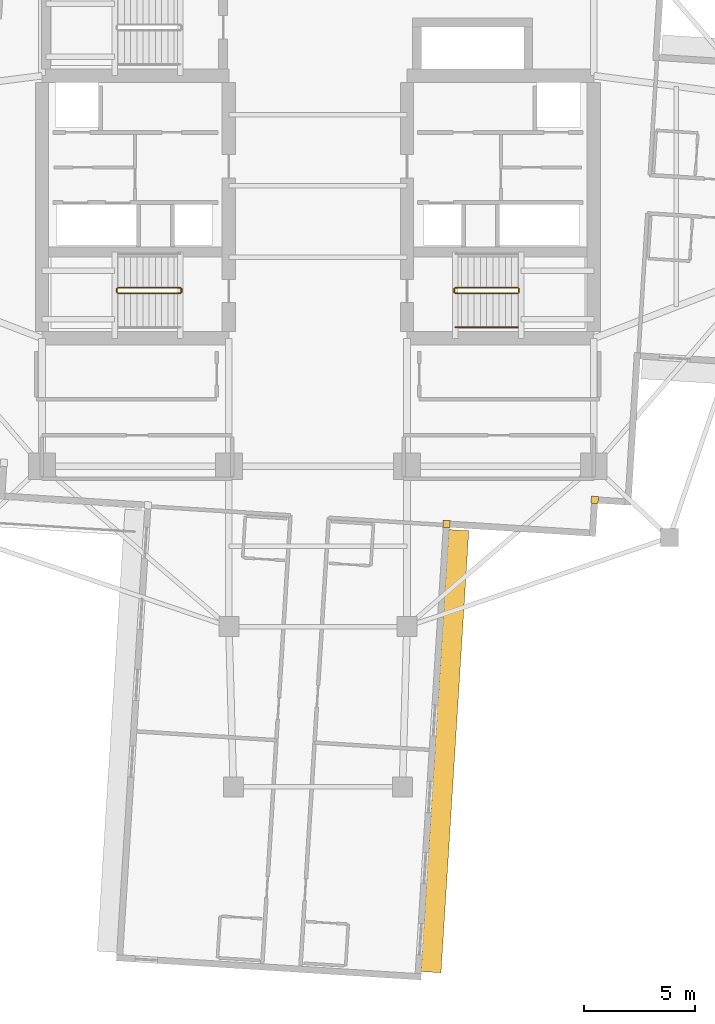
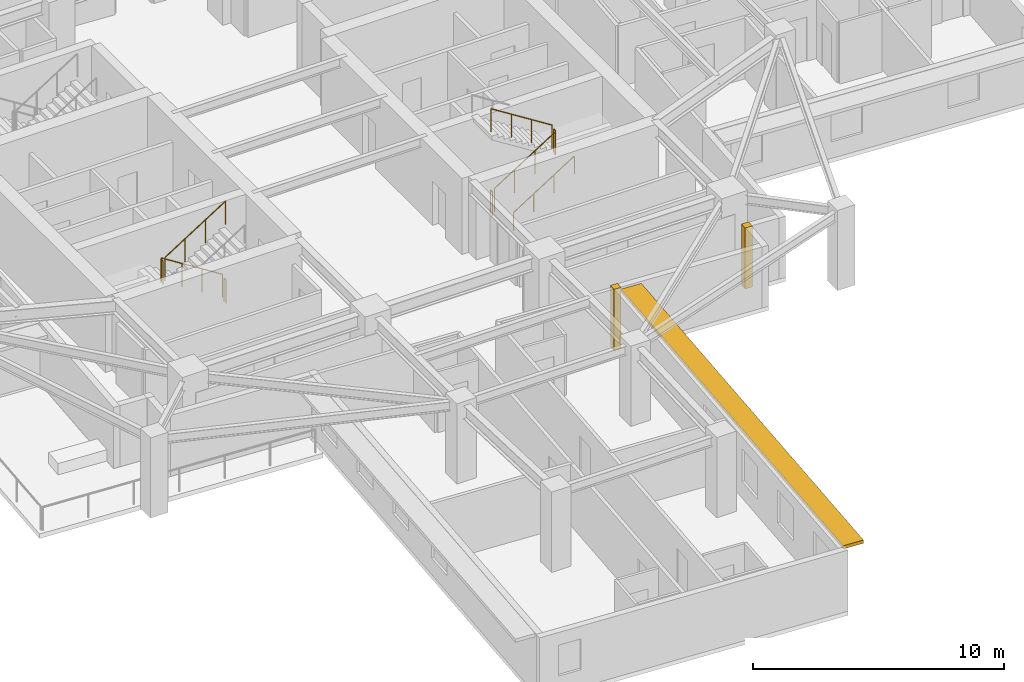
# One storey, part 11 of 14: 9 railings, 2 coverings, 1 shading device.
"""IFC4 building model written with IfcOpenShell, lengths in metres."""

from ifc_helpers import new_model, si_unit, direction, frame, origin, origin_2d, place, context, subcontext, project, spatial, rectangle, circle, extrude, material, layer, layer_set, type_object, element, save


model = new_model("IFC4")

# Units and contexts
model_context = context("Model", 3, precision=1e-05, world=origin(), true_north=direction((0.0, 1.0)))
body_context = subcontext(model_context, "Body", "Model", "MODEL_VIEW")
ifc_project = project(units=[si_unit("LENGTHUNIT", "METRE"), si_unit("AREAUNIT", "SQUARE_METRE"), si_unit("VOLUMEUNIT", "CUBIC_METRE"), si_unit("PLANEANGLEUNIT", "RADIAN"), si_unit("MASSUNIT", "GRAM", prefix="KILO")], contexts=[model_context])

# Site, building, storey
site_placement = place(None, origin())
site = spatial("IfcSite", under=ifc_project, at=site_placement, CompositionType="ELEMENT")
building_placement = place(site_placement, origin())
building = spatial("IfcBuilding", under=site, at=building_placement, Name="Qingluan Cross Belvedere", CompositionType="ELEMENT")
storey_placement = place(building_placement, frame((0.0, 0.0, 160.5)))
storey = spatial("IfcBuildingStorey", under=building, at=storey_placement, Name="L40", CompositionType="ELEMENT", Elevation=160.5)

# Coverings
ifc_material_1 = material(Name="Precast concrete C45", Category="concrete")
ifc_layer_1 = layer(ifc_material_1, 0.1201171875, Name="ConcreteSpandrelCladding_120")
ifc_layer_set_1 = layer_set([ifc_layer_1], Name="Precast concrete C45")
covering_type = type_object("IfcCoveringType", Name="ConcreteSpandrelCladding_120", PredefinedType="CLADDING", material=ifc_layer_set_1)
for number, where, z_axis, x_axis, name in (
    (1, (12.438720703125, -14.10888671875, 0.0), (0.0, 0.0, 1.0), (0.998026728428, -0.062790519529, 0.0), "Corner closure L40-SE1"),
    (2, (5.77734375, -15.192626953125, 0.0), (0.0, 0.0, 1.0), (0.998026728428, -0.062790519529, 0.0), "Corner closure L40-SE2"),
):
    element("IfcCovering", number, at=place(storey_placement, frame(where, z_axis=z_axis, x_axis=x_axis)), inside=storey, type_object=covering_type, Name=name, PredefinedType="CLADDING", context=body_context, shape_type="SweptSolid", body=[
        extrude(rectangle(XDim=0.320068359375, YDim=0.320068359375, at=origin_2d()), origin(), (0.0, 0.0, 1.0), 2.969970703125),
    ])

# Shading device
ifc_material_2 = material(Name="Precast concrete C45", Category="concrete")
ifc_layer_2 = layer(ifc_material_2, 0.159912109375, Name="ConcreteSunshadeBand_900")
ifc_layer_set_2 = layer_set([ifc_layer_2], Name="Precast concrete C45")
shading_device_type = type_object("IfcShadingDeviceType", Name="ConcreteSunshadeBand_900", PredefinedType="USERDEFINED", material=ifc_layer_set_2)
shading_device_placement = place(storey_placement, frame((5.70654296875, -25.3984375, 2.7900390625), z_axis=(0.0, 0.0, 1.0), x_axis=(0.062786203294, 0.998026999973, 0.0)))
element("IfcShadingDevice", 3, at=shading_device_placement, inside=storey, type_object=shading_device_type, Name="Concrete SUNSHADE L40-SB", ObjectType="SUNSHADE", PredefinedType="USERDEFINED", context=body_context, shape_type="SweptSolid", body=[
    extrude(rectangle(XDim=19.89990234375, YDim=0.89990234375, at=origin_2d()), origin(), (0.0, 0.0, 1.0), 0.159912109375),
])

# Railings
ifc_material_3 = material(Name="Brushed stainless steel tubular handrail", Category="steel")
railing_type_1 = type_object("IfcRailingType", Name="StairPitchHandrail_900", PredefinedType="HANDRAIL", material=ifc_material_3)
railing_1_placement = place(storey_placement, frame((6.179931640625, -6.35009765625, 0.17724609375)))
element("IfcRailing", 4, at=railing_1_placement, inside=storey, type_object=railing_type_1, Name="L40 ST2 stair handrail 1", PredefinedType="HANDRAIL", context=body_context, shape_type="SweptSolid", body=[
    extrude(circle(Radius=0.02392578125, at=origin_2d()), frame((0.0, 0.0, 0.8759765625), z_axis=(0.844908973607, 0.0, 0.534910110503), x_axis=(0.0, 1.0, 0.0)), (0.0, 0.0, 1.0), 3.31396484375),
    extrude(circle(Radius=0.02099609375, at=origin_2d()), origin(), (0.0, 0.0, 1.0), 0.851806640625),
    extrude(circle(Radius=0.02099609375, at=origin_2d()), frame((0.933349609375, 0.0, 0.5908203125)), (0.0, 0.0, 1.0), 0.851806640625),
    extrude(circle(Radius=0.02099609375, at=origin_2d()), frame((1.86669921875, 0.0, 1.181884765625)), (0.0, 0.0, 1.0), 0.851806640625),
    extrude(circle(Radius=0.02099609375, at=origin_2d()), frame((2.800048828125, 0.0, 1.772705078125)), (0.0, 0.0, 1.0), 0.851806640625),
])
ifc_material_4 = material(Name="Painted steel stair well guard", Category="steel")
railing_type_2 = type_object("IfcRailingType", Name="StairWellGuard_1150", PredefinedType="BALUSTRADE", material=ifc_material_4)
railing_2_placement = place(storey_placement, frame((-6.179931640625, -4.570068359375, 0.17724609375)))
element("IfcRailing", 5, at=railing_2_placement, inside=storey, type_object=railing_type_2, Name="L40 ST1 stair guard 1", PredefinedType="BALUSTRADE", context=body_context, shape_type="SweptSolid", body=[
    extrude(circle(Radius=0.02392578125, at=origin_2d()), frame((0.0, 0.0, 1.1259765625), z_axis=(-0.844908973607, 0.0, 0.534910110503), x_axis=(0.0, -1.0, 0.0)), (0.0, 0.0, 1.0), 3.31396484375),
    extrude(circle(Radius=0.02099609375, at=origin_2d()), origin(), (0.0, 0.0, 1.0), 1.101806640625),
    extrude(circle(Radius=0.02099609375, at=origin_2d()), frame((-0.933349609375, 0.0, 0.5908203125)), (0.0, 0.0, 1.0), 1.101806640625),
    extrude(circle(Radius=0.02099609375, at=origin_2d()), frame((-1.86669921875, 0.0, 1.181884765625)), (0.0, 0.0, 1.0), 1.101806640625),
    extrude(circle(Radius=0.02099609375, at=origin_2d()), frame((-2.800048828125, 0.0, 1.772705078125)), (0.0, 0.0, 1.0), 1.101806640625),
])
railing_3_placement = place(storey_placement, frame((-9.030029296875, -4.6201171875, 1.949951171875)))
element("IfcRailing", 6, at=railing_3_placement, inside=storey, type_object=railing_type_2, Name="L40 ST1 stair guard 2", PredefinedType="BALUSTRADE", context=body_context, shape_type="SweptSolid", body=[
    extrude(circle(Radius=0.02392578125, at=origin_2d()), frame((0.0, 0.0, 1.1259765625), z_axis=(0.0, -1.0, 0.0), x_axis=(1.0, 0.0, 0.0)), (0.0, 0.0, 1.0), 0.159912109375),
    extrude(circle(Radius=0.02099609375, at=origin_2d()), origin(), (0.0, 0.0, 1.0), 1.101806640625),
    extrude(circle(Radius=0.02099609375, at=origin_2d()), frame((0.0, -0.159912109375, 0.0)), (0.0, 0.0, 1.0), 1.101806640625),
])
railing_4_placement = place(storey_placement, frame((-8.97998046875, -4.830078125, 2.127197265625)))
element("IfcRailing", 7, at=railing_4_placement, inside=storey, type_object=railing_type_2, Name="L40 ST1 stair guard 3", PredefinedType="BALUSTRADE", context=body_context, shape_type="SweptSolid", body=[
    extrude(circle(Radius=0.02392578125, at=origin_2d()), frame((0.0, 0.0, 1.1259765625), z_axis=(0.844908973607, 0.0, 0.534910110503), x_axis=(0.0, 1.0, 0.0)), (0.0, 0.0, 1.0), 3.31396484375),
    extrude(circle(Radius=0.02099609375, at=origin_2d()), origin(), (0.0, 0.0, 1.0), 1.101806640625),
    extrude(circle(Radius=0.02099609375, at=origin_2d()), frame((0.933349609375, 0.0, 0.5908203125)), (0.0, 0.0, 1.0), 1.101806640625),
    extrude(circle(Radius=0.02099609375, at=origin_2d()), frame((1.86669921875, 0.0, 1.181884765625)), (0.0, 0.0, 1.0), 1.101806640625),
    extrude(circle(Radius=0.02099609375, at=origin_2d()), frame((2.800048828125, 0.0, 1.772705078125)), (0.0, 0.0, 1.0), 1.101806640625),
])
railing_5_placement = place(storey_placement, frame((-6.1298828125, -4.6201171875, 0.0)))
element("IfcRailing", 8, at=railing_5_placement, inside=storey, type_object=railing_type_2, Name="L40 ST1 stair guard 4", PredefinedType="BALUSTRADE", context=body_context, shape_type="SweptSolid", body=[
    extrude(circle(Radius=0.02392578125, at=origin_2d()), frame((0.0, 0.0, 1.1259765625), z_axis=(0.0, -1.0, 0.0), x_axis=(1.0, 0.0, 0.0)), (0.0, 0.0, 1.0), 0.159912109375),
    extrude(circle(Radius=0.02099609375, at=origin_2d()), origin(), (0.0, 0.0, 1.0), 1.101806640625),
    extrude(circle(Radius=0.02099609375, at=origin_2d()), frame((0.0, -0.159912109375, 0.0)), (0.0, 0.0, 1.0), 1.101806640625),
])
railing_6_placement = place(storey_placement, frame((6.179931640625, -4.830078125, 0.17724609375)))
element("IfcRailing", 9, at=railing_6_placement, inside=storey, type_object=railing_type_2, Name="L40 ST2 stair guard 1", PredefinedType="BALUSTRADE", context=body_context, shape_type="SweptSolid", body=[
    extrude(circle(Radius=0.02392578125, at=origin_2d()), frame((0.0, 0.0, 1.1259765625), z_axis=(0.844908973607, 0.0, 0.534910110503), x_axis=(0.0, 1.0, 0.0)), (0.0, 0.0, 1.0), 3.31396484375),
    extrude(circle(Radius=0.02099609375, at=origin_2d()), origin(), (0.0, 0.0, 1.0), 1.101806640625),
    extrude(circle(Radius=0.02099609375, at=origin_2d()), frame((0.933349609375, 0.0, 0.5908203125)), (0.0, 0.0, 1.0), 1.101806640625),
    extrude(circle(Radius=0.02099609375, at=origin_2d()), frame((1.86669921875, 0.0, 1.181884765625)), (0.0, 0.0, 1.0), 1.101806640625),
    extrude(circle(Radius=0.02099609375, at=origin_2d()), frame((2.800048828125, 0.0, 1.772705078125)), (0.0, 0.0, 1.0), 1.101806640625),
])
railing_7_placement = place(storey_placement, frame((9.030029296875, -4.780029296875, 1.949951171875)))
element("IfcRailing", 10, at=railing_7_placement, inside=storey, type_object=railing_type_2, Name="L40 ST2 stair guard 2", PredefinedType="BALUSTRADE", context=body_context, shape_type="SweptSolid", body=[
    extrude(circle(Radius=0.02392578125, at=origin_2d()), frame((0.0, 0.0, 1.1259765625), z_axis=(0.0, 1.0, 0.0), x_axis=(-1.0, 0.0, 0.0)), (0.0, 0.0, 1.0), 0.159912109375),
    extrude(circle(Radius=0.02099609375, at=origin_2d()), origin(), (0.0, 0.0, 1.0), 1.101806640625),
    extrude(circle(Radius=0.02099609375, at=origin_2d()), frame((0.0, 0.159912109375, 0.0)), (0.0, 0.0, 1.0), 1.101806640625),
])
railing_8_placement = place(storey_placement, frame((8.97998046875, -4.570068359375, 2.127197265625)))
element("IfcRailing", 11, at=railing_8_placement, inside=storey, type_object=railing_type_2, Name="L40 ST2 stair guard 3", PredefinedType="BALUSTRADE", context=body_context, shape_type="SweptSolid", body=[
    extrude(circle(Radius=0.02392578125, at=origin_2d()), frame((0.0, 0.0, 1.1259765625), z_axis=(-0.844908973607, 0.0, 0.534910110503), x_axis=(0.0, -1.0, 0.0)), (0.0, 0.0, 1.0), 3.31396484375),
    extrude(circle(Radius=0.02099609375, at=origin_2d()), origin(), (0.0, 0.0, 1.0), 1.101806640625),
    extrude(circle(Radius=0.02099609375, at=origin_2d()), frame((-0.933349609375, 0.0, 0.5908203125)), (0.0, 0.0, 1.0), 1.101806640625),
    extrude(circle(Radius=0.02099609375, at=origin_2d()), frame((-1.86669921875, 0.0, 1.181884765625)), (0.0, 0.0, 1.0), 1.101806640625),
    extrude(circle(Radius=0.02099609375, at=origin_2d()), frame((-2.800048828125, 0.0, 1.772705078125)), (0.0, 0.0, 1.0), 1.101806640625),
])
railing_9_placement = place(storey_placement, frame((6.1298828125, -4.780029296875, 0.0)))
element("IfcRailing", 12, at=railing_9_placement, inside=storey, type_object=railing_type_2, Name="L40 ST2 stair guard 4", PredefinedType="BALUSTRADE", context=body_context, shape_type="SweptSolid", body=[
    extrude(circle(Radius=0.02392578125, at=origin_2d()), frame((0.0, 0.0, 1.1259765625), z_axis=(0.0, 1.0, 0.0), x_axis=(-1.0, 0.0, 0.0)), (0.0, 0.0, 1.0), 0.159912109375),
    extrude(circle(Radius=0.02099609375, at=origin_2d()), origin(), (0.0, 0.0, 1.0), 1.101806640625),
    extrude(circle(Radius=0.02099609375, at=origin_2d()), frame((0.0, 0.159912109375, 0.0)), (0.0, 0.0, 1.0), 1.101806640625),
])

save(model, "model.ifc")
